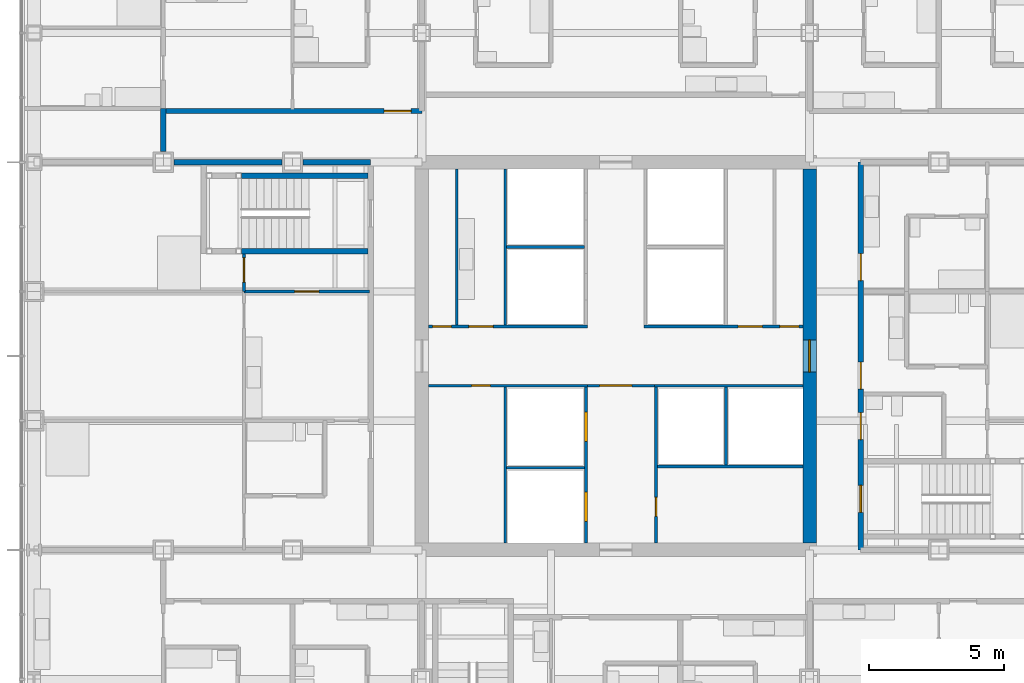
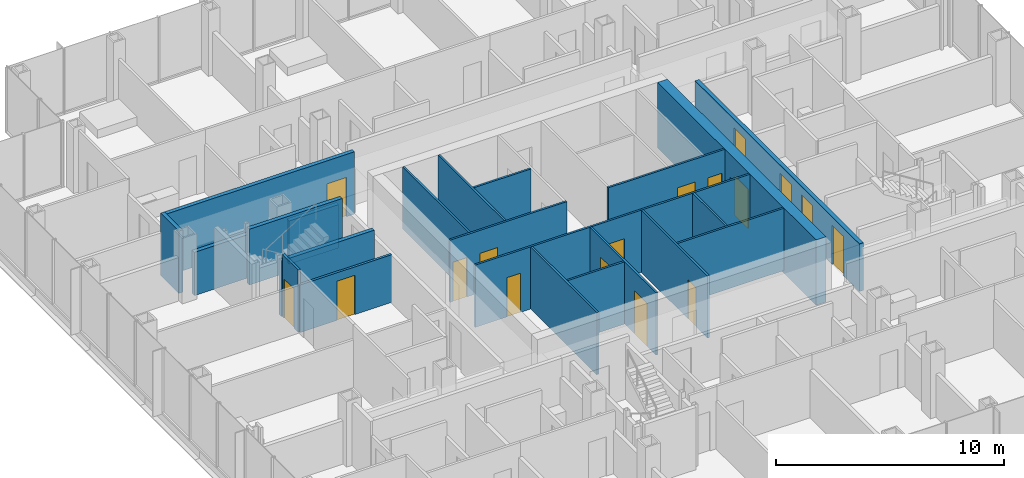
# One storey, part 15 of 21: 24 walls, 17 doors, 17 openings.
"""IFC4 building model written with IfcOpenShell, lengths in metres."""

from ifc_helpers import new_model, si_unit, direction, frame, frame_2d, origin, place, context, subcontext, project, spatial, rectangle, extrude, material, layer, layer_set, type_object, element, fill, save


model = new_model("IFC4")

# Units and contexts
model_context = context("Model", 3, precision=1e-05, world=origin(), true_north=direction((0.0, 1.0)))
body_context = subcontext(model_context, "Body", "Model", "MODEL_VIEW")
ifc_project = project(units=[si_unit("LENGTHUNIT", "METRE"), si_unit("AREAUNIT", "SQUARE_METRE"), si_unit("VOLUMEUNIT", "CUBIC_METRE"), si_unit("PLANEANGLEUNIT", "RADIAN"), si_unit("MASSUNIT", "GRAM", prefix="KILO")], contexts=[model_context])

# Site, building, storey
site_placement = place(None, origin())
site = spatial("IfcSite", under=ifc_project, at=site_placement, CompositionType="ELEMENT")
building_placement = place(site_placement, origin())
building = spatial("IfcBuilding", under=site, at=building_placement, Name="Kvirike Care Tower", CompositionType="ELEMENT")
storey_placement = place(building_placement, frame((0.0, 0.0, 37.5)))
storey = spatial("IfcBuildingStorey", under=building, at=storey_placement, Name="L09", CompositionType="ELEMENT", Elevation=37.5)

# Wall, opening, door
ifc_material_1 = material(Name="Concrete C60/75", Category="concrete")
ifc_layer_1 = layer(ifc_material_1, 0.5)
ifc_layer_set_1 = layer_set([ifc_layer_1], Name="CORE WALL 500 C60-75")
wall_type_1 = type_object("IfcWallType", Name="CORE WALL 500 C60-75", PredefinedType="SHEAR", material=ifc_layer_set_1)
wall_1_placement = place(storey_placement, frame((28.800048828125, 29.050048828125, -0.169921875), z_axis=(0.0, 0.0, 1.0), x_axis=(0.0, 1.0, 0.0)))
wall_1 = element("IfcWall", 1, at=wall_1_placement, inside=storey, type_object=wall_type_1, Name="Core wall E L09", PredefinedType="SHEAR", context=body_context, shape_type="SweptSolid", body=[
    extrude(rectangle(XDim=13.89990234375, YDim=0.5, at=frame_2d((6.949951171875, 0.0))), origin(), (0.0, 0.0, 1.0), 3.5),
])
opening_1_placement = place(wall_1_placement, frame((6.35009765625, 0.0, 0.169921875)))
opening_1 = element("IfcOpeningElement", 2, at=opening_1_placement, cuts=wall_1, Name="Opening 09-077", PredefinedType="OPENING", context=body_context, shape_type="SweptSolid", body=[
    extrude(rectangle(XDim=1.199951171875, YDim=2.10009765625, at=frame_2d((0.60009765625, 1.050048828125))), frame((0.0, 0.260498046875, 0.0), z_axis=(0.0, -1.0, 0.0), x_axis=(1.0, 0.0, 0.0)), (0.0, 0.0, 1.0), 0.52099609375),
])
ifc_material_2 = material(Name="Timber door set", Category="wood")
door_type_1 = type_object("IfcDoorType", Name="CORE DOOR 1200", OperationType="SINGLE_SWING_LEFT", PredefinedType="DOOR", material=ifc_material_2)
door_1_placement = place(opening_1_placement, origin())
door_1 = element("IfcDoor", 3, at=door_1_placement, inside=storey, type_object=door_type_1, Name="Core door E L09", OperationType="SINGLE_SWING_LEFT", OverallHeight=2.10009765625, OverallWidth=1.199951171875, PredefinedType="DOOR", context=body_context, shape_type="SweptSolid", body=[
    extrude(rectangle(XDim=1.199951171875, YDim=2.10009765625, at=frame_2d((0.60009765625, 1.050048828125))), frame((0.0, 0.02685546875, 0.0), z_axis=(0.0, -1.0, 0.0), x_axis=(1.0, 0.0, 0.0)), (0.0, 0.0, 1.0), 0.053955078125),
])
fill(opening_1, door_1)

ifc_material_3 = material(Name="Plasterboard corridor wall", Category="gypsum")
ifc_layer_2 = layer(ifc_material_3, 0.199951171875)
ifc_layer_set_2 = layer_set([ifc_layer_2], Name="CORRIDOR WALL 200")
wall_type_2 = type_object("IfcWallType", Name="CORRIDOR WALL 200", PredefinedType="PARTITIONING", material=ifc_layer_set_2)
wall_2_placement = place(storey_placement, frame((14.39990234375, 45.10009765625, 0.0), z_axis=(0.0, 0.0, 1.0), x_axis=(-1.0, 0.0, 0.0)))
wall_2 = element("IfcWall", 4, at=wall_2_placement, inside=storey, type_object=wall_type_2, Name="Corridor Wall 200 L09", PredefinedType="PARTITIONING", context=body_context, shape_type="SweptSolid", body=[
    extrude(rectangle(XDim=9.599853515625, YDim=0.199951171875, at=frame_2d((4.7998046875, 0.0))), origin(), (0.0, 0.0, 1.0), 3.330078125),
])
opening_2_placement = place(wall_2_placement, frame((0.39990234375, 0.0, 0.0)))
opening_2 = element("IfcOpeningElement", 5, at=opening_2_placement, cuts=wall_2, Name="Opening 09-023", PredefinedType="OPENING", context=body_context, shape_type="SweptSolid", body=[
    extrude(rectangle(XDim=1.0, YDim=2.10009765625, at=frame_2d((0.5, 1.050048828125))), frame((0.0, 0.110595703125, 0.0), z_axis=(0.0, -1.0, 0.0), x_axis=(1.0, 0.0, 0.0)), (0.0, 0.0, 1.0), 0.220947265625),
])
ifc_material_4 = material(Name="Timber door set", Category="wood")
door_type_2 = type_object("IfcDoorType", Name="FLAT ENTRANCE DOOR 1000", OperationType="SINGLE_SWING_LEFT", PredefinedType="DOOR", material=ifc_material_4)
door_2_placement = place(opening_2_placement, frame((1.0, 0.0, 0.0), z_axis=(0.0, 0.0, 1.0), x_axis=(-1.0, 0.0, 0.0)))
door_2 = element("IfcDoor", 6, at=door_2_placement, inside=storey, type_object=door_type_2, Name="Three-bedroom corner apartment entrance", OperationType="SINGLE_SWING_LEFT", OverallHeight=2.10009765625, OverallWidth=1.0, PredefinedType="DOOR", context=body_context, shape_type="SweptSolid", body=[
    extrude(rectangle(XDim=1.0, YDim=2.10009765625, at=frame_2d((0.5, 1.050048828125))), frame((0.0, 0.02685546875, 0.0), z_axis=(0.0, -1.0, 0.0), x_axis=(1.0, 0.0, 0.0)), (0.0, 0.0, 1.0), 0.053955078125),
])
fill(opening_2, door_2)

# Wall
wall_3_placement = place(storey_placement, frame((4.800048828125, 45.199951171875, 0.0), z_axis=(0.0, 0.0, 1.0), x_axis=(0.0, -1.0, 0.0)))
element("IfcWall", 7, at=wall_3_placement, inside=storey, type_object=wall_type_2, Name="Corridor Wall 200 L09", PredefinedType="PARTITIONING", context=body_context, shape_type="SweptSolid", body=[
    extrude(rectangle(XDim=1.60498046875, YDim=0.199951171875, at=frame_2d((0.802490234375, 0.0))), origin(), (0.0, 0.0, 1.0), 3.330078125),
])

# Wall, openings, doors
wall_4_placement = place(storey_placement, frame((30.699951171875, 28.800048828125, 0.0), z_axis=(0.0, 0.0, 1.0), x_axis=(0.0, 1.0, 0.0)))
wall_4 = element("IfcWall", 8, at=wall_4_placement, inside=storey, type_object=wall_type_2, Name="Corridor Wall 200 L09", PredefinedType="PARTITIONING", context=body_context, shape_type="SweptSolid", body=[
    extrude(rectangle(XDim=14.39990234375, YDim=0.199951171875, at=frame_2d((7.199951171875, 0.0))), origin(), (0.0, 0.0, 1.0), 2.550048828125),
])
opening_3_placement = place(wall_4_placement, frame((1.39990234375, 0.0, 0.0)))
opening_3 = element("IfcOpeningElement", 9, at=opening_3_placement, cuts=wall_4, Name="Opening 09-052", PredefinedType="OPENING", context=body_context, shape_type="SweptSolid", body=[
    extrude(rectangle(XDim=1.0, YDim=2.10009765625, at=frame_2d((0.5, 1.050048828125))), frame((0.0, 0.110595703125, 0.0), z_axis=(0.0, -1.0, 0.0), x_axis=(1.0, 0.0, 0.0)), (0.0, 0.0, 1.0), 0.220947265625),
])
opening_4_placement = place(wall_4_placement, frame((4.10009765625, 0.0, 0.0)))
opening_4 = element("IfcOpeningElement", 10, at=opening_4_placement, cuts=wall_4, Name="Opening 09-053", PredefinedType="OPENING", context=body_context, shape_type="SweptSolid", body=[
    extrude(rectangle(XDim=1.0, YDim=2.10009765625, at=frame_2d((0.5, 1.050048828125))), frame((0.0, 0.110595703125, 0.0), z_axis=(0.0, -1.0, 0.0), x_axis=(1.0, 0.0, 0.0)), (0.0, 0.0, 1.0), 0.220947265625),
])
opening_5_placement = place(wall_4_placement, frame((5.97509765625, 0.0, 0.0)))
opening_5 = element("IfcOpeningElement", 11, at=opening_5_placement, cuts=wall_4, Name="Opening 09-054", PredefinedType="OPENING", context=body_context, shape_type="SweptSolid", body=[
    extrude(rectangle(XDim=1.0, YDim=2.10009765625, at=frame_2d((0.5, 1.050048828125))), frame((0.0, 0.110595703125, 0.0), z_axis=(0.0, -1.0, 0.0), x_axis=(1.0, 0.0, 0.0)), (0.0, 0.0, 1.0), 0.220947265625),
])
opening_6_placement = place(wall_4_placement, frame((10.0, 0.0, 0.0)))
opening_6 = element("IfcOpeningElement", 12, at=opening_6_placement, cuts=wall_4, Name="Opening 09-055", PredefinedType="OPENING", context=body_context, shape_type="SweptSolid", body=[
    extrude(rectangle(XDim=1.0, YDim=2.10009765625, at=frame_2d((0.5, 1.050048828125))), frame((0.0, 0.110595703125, 0.0), z_axis=(0.0, -1.0, 0.0), x_axis=(1.0, 0.0, 0.0)), (0.0, 0.0, 1.0), 0.220947265625),
])
door_3_placement = place(opening_5_placement, frame((1.0, 0.0, 0.0), z_axis=(0.0, 0.0, 1.0), x_axis=(-1.0, 0.0, 0.0)))
door_3 = element("IfcDoor", 13, at=door_3_placement, inside=storey, type_object=door_type_2, Name="One-bedroom apartment entrance", OperationType="SINGLE_SWING_LEFT", OverallHeight=2.10009765625, OverallWidth=1.0, PredefinedType="DOOR", context=body_context, shape_type="SweptSolid", body=[
    extrude(rectangle(XDim=1.0, YDim=2.10009765625, at=frame_2d((0.5, 1.050048828125))), frame((0.0, 0.02685546875, 0.0), z_axis=(0.0, -1.0, 0.0), x_axis=(1.0, 0.0, 0.0)), (0.0, 0.0, 1.0), 0.053955078125),
])
fill(opening_5, door_3)
door_4_placement = place(opening_6_placement, frame((1.0, 0.0, 0.0), z_axis=(0.0, 0.0, 1.0), x_axis=(-1.0, 0.0, 0.0)))
door_4 = element("IfcDoor", 14, at=door_4_placement, inside=storey, type_object=door_type_2, Name="Studio apartment entrance", OperationType="SINGLE_SWING_LEFT", OverallHeight=2.10009765625, OverallWidth=1.0, PredefinedType="DOOR", context=body_context, shape_type="SweptSolid", body=[
    extrude(rectangle(XDim=1.0, YDim=2.10009765625, at=frame_2d((0.5, 1.050048828125))), frame((0.0, 0.02685546875, 0.0), z_axis=(0.0, -1.0, 0.0), x_axis=(1.0, 0.0, 0.0)), (0.0, 0.0, 1.0), 0.053955078125),
])
fill(opening_6, door_4)
ifc_material_5 = material(Name="Timber door set", Category="wood")
door_type_3 = type_object("IfcDoorType", Name="STAIR DOOR 1000", OperationType="SINGLE_SWING_LEFT", PredefinedType="DOOR", material=ifc_material_5)
door_5_placement = place(opening_3_placement, frame((1.0, 0.0, 0.0), z_axis=(0.0, 0.0, 1.0), x_axis=(-1.0, 0.0, 0.0)))
door_5 = element("IfcDoor", 15, at=door_5_placement, inside=storey, type_object=door_type_3, Name="Stair 2 door", OperationType="SINGLE_SWING_RIGHT", OverallHeight=2.10009765625, OverallWidth=1.0, PredefinedType="DOOR", context=body_context, shape_type="SweptSolid", body=[
    extrude(rectangle(XDim=1.0, YDim=2.10009765625, at=frame_2d((0.5, 1.050048828125))), frame((0.0, 0.031982421875, 0.0), z_axis=(0.0, -1.0, 0.0), x_axis=(1.0, 0.0, 0.0)), (0.0, 0.0, 1.0), 0.06396484375),
])
fill(opening_3, door_5)
ifc_material_6 = material(Name="Timber door set", Category="wood")
door_type_4 = type_object("IfcDoorType", Name="WC DOOR 1000", OperationType="SINGLE_SWING_LEFT", PredefinedType="DOOR", material=ifc_material_6)
door_6_placement = place(opening_4_placement, frame((1.0, 0.0, 0.0), z_axis=(0.0, 0.0, 1.0), x_axis=(-1.0, 0.0, 0.0)))
door_6 = element("IfcDoor", 16, at=door_6_placement, inside=storey, type_object=door_type_4, Name="Accessible WC door", OperationType="SINGLE_SWING_LEFT", OverallHeight=2.10009765625, OverallWidth=1.0, PredefinedType="DOOR", context=body_context, shape_type="SweptSolid", body=[
    extrude(rectangle(XDim=1.0, YDim=2.10009765625, at=frame_2d((0.5, 1.050048828125))), frame((0.0, 0.02685546875, 0.0), z_axis=(0.0, -1.0, 0.0), x_axis=(1.0, 0.0, 0.0)), (0.0, 0.0, 1.0), 0.053955078125),
])
fill(opening_4, door_6)

# Wall, opening, door
ifc_material_7 = material(Name="Plasterboard partition", Category="gypsum")
ifc_layer_3 = layer(ifc_material_7, 0.1201171875)
ifc_layer_set_3 = layer_set([ifc_layer_3], Name="PARTITION 120")
wall_type_3 = type_object("IfcWallType", Name="PARTITION 120", PredefinedType="PARTITIONING", material=ifc_layer_set_3)
wall_5_placement = place(storey_placement, frame((7.800048828125, 38.39990234375, 0.0), z_axis=(0.0, 0.0, 1.0), x_axis=(1.0, 0.0, 0.0)))
wall_5 = element("IfcWall", 17, at=wall_5_placement, inside=storey, type_object=wall_type_3, Name="Partition 120 L09", PredefinedType="PARTITIONING", context=body_context, shape_type="SweptSolid", body=[
    extrude(rectangle(XDim=4.64990234375, YDim=0.1201171875, at=frame_2d((2.324951171875, 0.0))), origin(), (0.0, 0.0, 1.0), 2.550048828125),
])
opening_7_placement = place(wall_5_placement, frame((1.875, 0.0, 0.0)))
opening_7 = element("IfcOpeningElement", 18, at=opening_7_placement, cuts=wall_5, Name="Opening 09-010", PredefinedType="OPENING", context=body_context, shape_type="SweptSolid", body=[
    extrude(rectangle(XDim=0.89990234375, YDim=2.10009765625, at=frame_2d((0.449951171875, 1.050048828125))), frame((0.0, 0.070556640625, 0.0), z_axis=(0.0, -1.0, 0.0), x_axis=(1.0, 0.0, 0.0)), (0.0, 0.0, 1.0), 0.14111328125),
])
ifc_material_8 = material(Name="Timber door set", Category="wood")
door_type_5 = type_object("IfcDoorType", Name="INTERNAL DOOR 900", OperationType="SINGLE_SWING_LEFT", PredefinedType="DOOR", material=ifc_material_8)
door_7_placement = place(opening_7_placement, origin())
door_7 = element("IfcDoor", 19, at=door_7_placement, inside=storey, type_object=door_type_5, Name="Hall door", OperationType="SINGLE_SWING_RIGHT", OverallHeight=2.10009765625, OverallWidth=0.89990234375, PredefinedType="DOOR", context=body_context, shape_type="SweptSolid", body=[
    extrude(rectangle(XDim=0.89990234375, YDim=2.10009765625, at=frame_2d((0.449951171875, 1.050048828125))), frame((0.0, 0.02197265625, 0.0), z_axis=(0.0, -1.0, 0.0), x_axis=(1.0, 0.0, 0.0)), (0.0, 0.0, 1.0), 0.0439453125),
])
fill(opening_7, door_7)

wall_6_placement = place(storey_placement, frame((7.800048828125, 39.800048828125, 0.0), z_axis=(0.0, 0.0, 1.0), x_axis=(0.0, -1.0, 0.0)))
wall_6 = element("IfcWall", 20, at=wall_6_placement, inside=storey, type_object=wall_type_3, Name="Partition 120 L09", PredefinedType="PARTITIONING", context=body_context, shape_type="SweptSolid", body=[
    extrude(rectangle(XDim=1.400146484375, YDim=0.1201171875, at=frame_2d((0.7001953125, 0.0))), origin(), (0.0, 0.0, 1.0), 3.330078125),
])
opening_8_placement = place(wall_6_placement, frame((0.14990234375, 0.0, 0.0)))
opening_8 = element("IfcOpeningElement", 21, at=opening_8_placement, cuts=wall_6, Name="Opening 09-012", PredefinedType="OPENING", context=body_context, shape_type="SweptSolid", body=[
    extrude(rectangle(XDim=0.89990234375, YDim=2.10009765625, at=frame_2d((0.449951171875, 1.050048828125))), frame((0.0, 0.070556640625, 0.0), z_axis=(0.0, -1.0, 0.0), x_axis=(1.0, 0.0, 0.0)), (0.0, 0.0, 1.0), 0.14111328125),
])
door_8_placement = place(opening_8_placement, origin())
door_8 = element("IfcDoor", 22, at=door_8_placement, inside=storey, type_object=door_type_5, Name="Apartment bedroom door", OperationType="SINGLE_SWING_RIGHT", OverallHeight=2.10009765625, OverallWidth=0.89990234375, PredefinedType="DOOR", context=body_context, shape_type="SweptSolid", body=[
    extrude(rectangle(XDim=0.89990234375, YDim=2.10009765625, at=frame_2d((0.449951171875, 1.050048828125))), frame((0.0, 0.02197265625, 0.0), z_axis=(0.0, -1.0, 0.0), x_axis=(1.0, 0.0, 0.0)), (0.0, 0.0, 1.0), 0.0439453125),
])
fill(opening_8, door_8)

# Walls
ifc_material_9 = material(Name="Plasterboard party wall", Category="gypsum")
ifc_layer_4 = layer(ifc_material_9, 0.199951171875)
ifc_layer_set_4 = layer_set([ifc_layer_4], Name="PARTY WALL 200")
wall_type_4 = type_object("IfcWallType", Name="PARTY WALL 200", PredefinedType="PARTITIONING", material=ifc_layer_set_4)
wall_7_placement = place(storey_placement, frame((12.5, 43.199951171875, 0.0), z_axis=(0.0, 0.0, 1.0), x_axis=(-1.0, 0.0, 0.0)))
element("IfcWall", 23, at=wall_7_placement, inside=storey, type_object=wall_type_4, Name="Party Wall 200 L09", PredefinedType="PARTITIONING", context=body_context, shape_type="SweptSolid", body=[
    extrude(rectangle(XDim=2.5048828125, YDim=0.199951171875, at=frame_2d((1.25244140625, 0.0))), origin(), (0.0, 0.0, 1.0), 2.320068359375),
])
wall_8_placement = place(storey_placement, frame((9.205078125, 43.199951171875, 0.0), z_axis=(0.0, 0.0, 1.0), x_axis=(-1.0, 0.0, 0.0)))
element("IfcWall", 24, at=wall_8_placement, inside=storey, type_object=wall_type_4, Name="Party Wall 200 L09", PredefinedType="PARTITIONING", context=body_context, shape_type="SweptSolid", body=[
    extrude(rectangle(XDim=4.010009765625, YDim=0.199951171875, at=frame_2d((2.0048828125, 0.0))), origin(), (0.0, 0.0, 1.0), 2.320068359375),
])
ifc_material_10 = material(Name="Gypsum shaft wall system", Category="gypsum")
ifc_layer_5 = layer(ifc_material_10, 0.10009765625)
ifc_layer_set_5 = layer_set([ifc_layer_5], Name="SHAFT WALL 100")
wall_type_5 = type_object("IfcWallType", Name="SHAFT WALL 100", PredefinedType="SOLIDWALL", material=ifc_layer_set_5)
wall_9_placement = place(storey_placement, frame((15.699951171875, 37.14990234375, 0.0), z_axis=(0.0, 0.0, 1.0), x_axis=(0.0, 1.0, 0.0)))
element("IfcWall", 25, at=wall_9_placement, inside=storey, type_object=wall_type_5, Name="Shaft Wall 100 L09", PredefinedType="SOLIDWALL", context=body_context, shape_type="SweptSolid", body=[
    extrude(rectangle(XDim=5.800048828125, YDim=0.10009765625, at=frame_2d((2.89990234375, 0.0))), origin(), (0.0, 0.0, 1.0), 3.330078125),
])

# Wall, openings, doors
wall_10_placement = place(storey_placement, frame((20.5, 29.050048828125, 0.0), z_axis=(0.0, 0.0, 1.0), x_axis=(0.0, 1.0, 0.0)))
wall_10 = element("IfcWall", 26, at=wall_10_placement, inside=storey, type_object=wall_type_5, Name="Shaft Wall 100 L09", PredefinedType="SOLIDWALL", context=body_context, shape_type="SweptSolid", body=[
    extrude(rectangle(XDim=5.800048828125, YDim=0.10009765625, at=frame_2d((2.89990234375, 0.0))), origin(), (0.0, 0.0, 1.0), 3.330078125),
])
opening_9_placement = place(wall_10_placement, frame((0.800048828125, 0.0, 0.0)))
opening_9 = element("IfcOpeningElement", 27, at=opening_9_placement, cuts=wall_10, Name="Opening 09-064", PredefinedType="OPENING", context=body_context, shape_type="SweptSolid", body=[
    extrude(rectangle(XDim=1.10009765625, YDim=2.300048828125, at=frame_2d((0.550048828125, 1.14990234375))), frame((0.0, 0.060546875, 0.0), z_axis=(0.0, -1.0, 0.0), x_axis=(1.0, 0.0, 0.0)), (0.0, 0.0, 1.0), 0.12109375),
])
opening_10_placement = place(wall_10_placement, frame((3.77490234375, 0.0, 0.0)))
opening_10 = element("IfcOpeningElement", 28, at=opening_10_placement, cuts=wall_10, Name="Opening 09-065", PredefinedType="OPENING", context=body_context, shape_type="SweptSolid", body=[
    extrude(rectangle(XDim=1.10009765625, YDim=2.300048828125, at=frame_2d((0.550048828125, 1.14990234375))), frame((0.0, 0.060546875, 0.0), z_axis=(0.0, -1.0, 0.0), x_axis=(1.0, 0.0, 0.0)), (0.0, 0.0, 1.0), 0.12109375),
])
ifc_material_11 = material(Name="Aluminium door frame", Category="aluminium")
door_type_6 = type_object("IfcDoorType", Name="FIRE-FIGHTING LIFT LANDING DOOR 1100", OperationType="SLIDING_TO_LEFT", PredefinedType="DOOR", material=ifc_material_11)
door_9_placement = place(opening_9_placement, origin())
door_9 = element("IfcDoor", 29, at=door_9_placement, inside=storey, type_object=door_type_6, Name="Lift FF1 landing door", OperationType="SLIDING_TO_LEFT", OverallHeight=2.300048828125, OverallWidth=1.10009765625, PredefinedType="DOOR", context=body_context, shape_type="SweptSolid", body=[
    extrude(rectangle(XDim=1.10009765625, YDim=2.300048828125, at=frame_2d((0.550048828125, 1.14990234375))), frame((0.0, 0.0498046875, 0.0), z_axis=(0.0, -1.0, 0.0), x_axis=(1.0, 0.0, 0.0)), (0.0, 0.0, 1.0), 0.099609375),
])
fill(opening_9, door_9)
door_10_placement = place(opening_10_placement, origin())
door_10 = element("IfcDoor", 30, at=door_10_placement, inside=storey, type_object=door_type_6, Name="Lift FF2 landing door", OperationType="SLIDING_TO_LEFT", OverallHeight=2.300048828125, OverallWidth=1.10009765625, PredefinedType="DOOR", context=body_context, shape_type="SweptSolid", body=[
    extrude(rectangle(XDim=1.10009765625, YDim=2.300048828125, at=frame_2d((0.550048828125, 1.14990234375))), frame((0.0, 0.0498046875, 0.0), z_axis=(0.0, -1.0, 0.0), x_axis=(1.0, 0.0, 0.0)), (0.0, 0.0, 1.0), 0.099609375),
])
fill(opening_10, door_10)

# Wall, opening, door
wall_11_placement = place(storey_placement, frame((23.10009765625, 29.050048828125, 0.0), z_axis=(0.0, 0.0, 1.0), x_axis=(0.0, 1.0, 0.0)))
wall_11 = element("IfcWall", 31, at=wall_11_placement, inside=storey, type_object=wall_type_5, Name="Shaft Wall 100 L09", PredefinedType="SOLIDWALL", context=body_context, shape_type="SweptSolid", body=[
    extrude(rectangle(XDim=5.800048828125, YDim=0.10009765625, at=frame_2d((2.89990234375, 0.0))), origin(), (0.0, 0.0, 1.0), 3.330078125),
])
opening_11_placement = place(wall_11_placement, frame((1.0, 0.0, 0.0)))
opening_11 = element("IfcOpeningElement", 32, at=opening_11_placement, cuts=wall_11, Name="Opening 09-068", PredefinedType="OPENING", context=body_context, shape_type="SweptSolid", body=[
    extrude(rectangle(XDim=0.699951171875, YDim=2.10009765625, at=frame_2d((0.35009765625, 1.050048828125))), frame((0.0, 0.060546875, 0.0), z_axis=(0.0, -1.0, 0.0), x_axis=(1.0, 0.0, 0.0)), (0.0, 0.0, 1.0), 0.12109375),
])
ifc_material_12 = material(Name="Timber door set", Category="wood")
door_type_7 = type_object("IfcDoorType", Name="RISER DOOR 700", OperationType="SINGLE_SWING_LEFT", PredefinedType="DOOR", material=ifc_material_12)
door_11_placement = place(opening_11_placement, origin())
door_11 = element("IfcDoor", 33, at=door_11_placement, inside=storey, type_object=door_type_7, Name="Riser door", OperationType="SINGLE_SWING_RIGHT", OverallHeight=2.10009765625, OverallWidth=0.699951171875, PredefinedType="DOOR", context=body_context, shape_type="SweptSolid", body=[
    extrude(rectangle(XDim=0.699951171875, YDim=2.10009765625, at=frame_2d((0.35009765625, 1.050048828125))), frame((0.0, 0.02685546875, 0.0), z_axis=(0.0, -1.0, 0.0), x_axis=(1.0, 0.0, 0.0)), (0.0, 0.0, 1.0), 0.053955078125),
])
fill(opening_11, door_11)

wall_12_placement = place(storey_placement, frame((14.64990234375, 34.89990234375, 0.0), z_axis=(0.0, 0.0, 1.0), x_axis=(1.0, 0.0, 0.0)))
wall_12 = element("IfcWall", 34, at=wall_12_placement, inside=storey, type_object=wall_type_5, Name="Shaft Wall 100 L09", PredefinedType="SOLIDWALL", context=body_context, shape_type="SweptSolid", body=[
    extrude(rectangle(XDim=5.900146484375, YDim=0.10009765625, at=frame_2d((2.9501953125, 0.0))), origin(), (0.0, 0.0, 1.0), 3.330078125),
])
opening_12_placement = place(wall_12_placement, frame((1.60009765625, 0.0, 0.0)))
opening_12 = element("IfcOpeningElement", 35, at=opening_12_placement, cuts=wall_12, Name="Opening 09-069", PredefinedType="OPENING", context=body_context, shape_type="SweptSolid", body=[
    extrude(rectangle(XDim=0.699951171875, YDim=2.10009765625, at=frame_2d((0.35009765625, 1.050048828125))), frame((0.0, 0.060546875, 0.0), z_axis=(0.0, -1.0, 0.0), x_axis=(1.0, 0.0, 0.0)), (0.0, 0.0, 1.0), 0.12109375),
])
door_12_placement = place(opening_12_placement, frame((0.699951171875, 0.0, 0.0), z_axis=(0.0, 0.0, 1.0), x_axis=(-1.0, 0.0, 0.0)))
door_12 = element("IfcDoor", 36, at=door_12_placement, inside=storey, type_object=door_type_7, Name="Riser door", OperationType="SINGLE_SWING_RIGHT", OverallHeight=2.10009765625, OverallWidth=0.699951171875, PredefinedType="DOOR", context=body_context, shape_type="SweptSolid", body=[
    extrude(rectangle(XDim=0.699951171875, YDim=2.10009765625, at=frame_2d((0.35009765625, 1.050048828125))), frame((0.0, 0.02685546875, 0.0), z_axis=(0.0, -1.0, 0.0), x_axis=(1.0, 0.0, 0.0)), (0.0, 0.0, 1.0), 0.053955078125),
])
fill(opening_12, door_12)

# Wall
wall_13_placement = place(storey_placement, frame((23.050048828125, 34.89990234375, 0.0), z_axis=(0.0, 0.0, 1.0), x_axis=(1.0, 0.0, 0.0)))
element("IfcWall", 37, at=wall_13_placement, inside=storey, type_object=wall_type_5, Name="Shaft Wall 100 L09", PredefinedType="SOLIDWALL", context=body_context, shape_type="SweptSolid", body=[
    extrude(rectangle(XDim=5.5, YDim=0.10009765625, at=frame_2d((2.75, 0.0))), origin(), (0.0, 0.0, 1.0), 3.330078125),
])

# Wall, openings, doors
wall_14_placement = place(storey_placement, frame((14.64990234375, 37.10009765625, 0.0), z_axis=(0.0, 0.0, 1.0), x_axis=(1.0, 0.0, 0.0)))
wall_14 = element("IfcWall", 38, at=wall_14_placement, inside=storey, type_object=wall_type_5, Name="Shaft Wall 100 L09", PredefinedType="SOLIDWALL", context=body_context, shape_type="SweptSolid", body=[
    extrude(rectangle(XDim=5.900146484375, YDim=0.10009765625, at=frame_2d((2.9501953125, 0.0))), origin(), (0.0, 0.0, 1.0), 3.330078125),
])
opening_13_placement = place(wall_14_placement, frame((0.14990234375, 0.0, 0.0)))
opening_13 = element("IfcOpeningElement", 39, at=opening_13_placement, cuts=wall_14, Name="Opening 09-070", PredefinedType="OPENING", context=body_context, shape_type="SweptSolid", body=[
    extrude(rectangle(XDim=0.699951171875, YDim=2.10009765625, at=frame_2d((0.35009765625, 1.050048828125))), frame((0.0, 0.060546875, 0.0), z_axis=(0.0, -1.0, 0.0), x_axis=(1.0, 0.0, 0.0)), (0.0, 0.0, 1.0), 0.12109375),
])
opening_14_placement = place(wall_14_placement, frame((1.5, 0.0, 0.0)))
opening_14 = element("IfcOpeningElement", 40, at=opening_14_placement, cuts=wall_14, Name="Opening 09-071", PredefinedType="OPENING", context=body_context, shape_type="SweptSolid", body=[
    extrude(rectangle(XDim=0.89990234375, YDim=2.10009765625, at=frame_2d((0.449951171875, 1.050048828125))), frame((0.0, 0.060546875, 0.0), z_axis=(0.0, -1.0, 0.0), x_axis=(1.0, 0.0, 0.0)), (0.0, 0.0, 1.0), 0.12109375),
])
door_13_placement = place(opening_13_placement, origin())
door_13 = element("IfcDoor", 41, at=door_13_placement, inside=storey, type_object=door_type_7, Name="Riser door", OperationType="SINGLE_SWING_LEFT", OverallHeight=2.10009765625, OverallWidth=0.699951171875, PredefinedType="DOOR", context=body_context, shape_type="SweptSolid", body=[
    extrude(rectangle(XDim=0.699951171875, YDim=2.10009765625, at=frame_2d((0.35009765625, 1.050048828125))), frame((0.0, 0.02685546875, 0.0), z_axis=(0.0, -1.0, 0.0), x_axis=(1.0, 0.0, 0.0)), (0.0, 0.0, 1.0), 0.053955078125),
])
fill(opening_13, door_13)
ifc_material_13 = material(Name="Timber door set", Category="wood")
door_type_8 = type_object("IfcDoorType", Name="STORE DOOR 900", OperationType="SINGLE_SWING_LEFT", PredefinedType="DOOR", material=ifc_material_13)
door_14_placement = place(opening_14_placement, origin())
door_14 = element("IfcDoor", 42, at=door_14_placement, inside=storey, type_object=door_type_8, Name="Resident pantry door", OperationType="SINGLE_SWING_LEFT", OverallHeight=2.10009765625, OverallWidth=0.89990234375, PredefinedType="DOOR", context=body_context, shape_type="SweptSolid", body=[
    extrude(rectangle(XDim=0.89990234375, YDim=2.10009765625, at=frame_2d((0.449951171875, 1.050048828125))), frame((0.0, 0.02685546875, 0.0), z_axis=(0.0, -1.0, 0.0), x_axis=(1.0, 0.0, 0.0)), (0.0, 0.0, 1.0), 0.053955078125),
])
fill(opening_14, door_14)

wall_15_placement = place(storey_placement, frame((22.64990234375, 37.10009765625, 0.0), z_axis=(0.0, 0.0, 1.0), x_axis=(1.0, 0.0, 0.0)))
wall_15 = element("IfcWall", 43, at=wall_15_placement, inside=storey, type_object=wall_type_5, Name="Shaft Wall 100 L09", PredefinedType="SOLIDWALL", context=body_context, shape_type="SweptSolid", body=[
    extrude(rectangle(XDim=5.900146484375, YDim=0.10009765625, at=frame_2d((2.9501953125, 0.0))), origin(), (0.0, 0.0, 1.0), 3.330078125),
])
opening_15_placement = place(wall_15_placement, frame((3.5, 0.0, 0.0)))
opening_15 = element("IfcOpeningElement", 44, at=opening_15_placement, cuts=wall_15, Name="Opening 09-072", PredefinedType="OPENING", context=body_context, shape_type="SweptSolid", body=[
    extrude(rectangle(XDim=0.89990234375, YDim=2.10009765625, at=frame_2d((0.449951171875, 1.050048828125))), frame((0.0, 0.060546875, 0.0), z_axis=(0.0, -1.0, 0.0), x_axis=(1.0, 0.0, 0.0)), (0.0, 0.0, 1.0), 0.12109375),
])
opening_16_placement = place(wall_15_placement, frame((5.050048828125, 0.0, 0.0)))
opening_16 = element("IfcOpeningElement", 45, at=opening_16_placement, cuts=wall_15, Name="Opening 09-073", PredefinedType="OPENING", context=body_context, shape_type="SweptSolid", body=[
    extrude(rectangle(XDim=0.699951171875, YDim=2.10009765625, at=frame_2d((0.35009765625, 1.050048828125))), frame((0.0, 0.060546875, 0.0), z_axis=(0.0, -1.0, 0.0), x_axis=(1.0, 0.0, 0.0)), (0.0, 0.0, 1.0), 0.12109375),
])
door_15_placement = place(opening_16_placement, origin())
door_15 = element("IfcDoor", 46, at=door_15_placement, inside=storey, type_object=door_type_7, Name="Riser door", OperationType="SINGLE_SWING_RIGHT", OverallHeight=2.10009765625, OverallWidth=0.699951171875, PredefinedType="DOOR", context=body_context, shape_type="SweptSolid", body=[
    extrude(rectangle(XDim=0.699951171875, YDim=2.10009765625, at=frame_2d((0.35009765625, 1.050048828125))), frame((0.0, 0.02685546875, 0.0), z_axis=(0.0, -1.0, 0.0), x_axis=(1.0, 0.0, 0.0)), (0.0, 0.0, 1.0), 0.053955078125),
])
fill(opening_16, door_15)
door_16_placement = place(opening_15_placement, origin())
door_16 = element("IfcDoor", 47, at=door_16_placement, inside=storey, type_object=door_type_8, Name="Cleaners store door", OperationType="SINGLE_SWING_LEFT", OverallHeight=2.10009765625, OverallWidth=0.89990234375, PredefinedType="DOOR", context=body_context, shape_type="SweptSolid", body=[
    extrude(rectangle(XDim=0.89990234375, YDim=2.10009765625, at=frame_2d((0.449951171875, 1.050048828125))), frame((0.0, 0.02685546875, 0.0), z_axis=(0.0, -1.0, 0.0), x_axis=(1.0, 0.0, 0.0)), (0.0, 0.0, 1.0), 0.053955078125),
])
fill(opening_15, door_16)

# Wall, opening, door
wall_16_placement = place(storey_placement, frame((20.550048828125, 34.89990234375, 0.0), z_axis=(0.0, 0.0, 1.0), x_axis=(1.0, 0.0, 0.0)))
wall_16 = element("IfcWall", 48, at=wall_16_placement, inside=storey, type_object=wall_type_5, Name="Shaft Wall 100 L09", PredefinedType="SOLIDWALL", context=body_context, shape_type="SweptSolid", body=[
    extrude(rectangle(XDim=2.5, YDim=0.10009765625, at=frame_2d((1.25, 0.0))), origin(), (0.0, 0.0, 1.0), 3.330078125),
])
opening_17_placement = place(wall_16_placement, frame((0.449951171875, 0.0, 0.0)))
opening_17 = element("IfcOpeningElement", 49, at=opening_17_placement, cuts=wall_16, Name="Opening 09-074", PredefinedType="OPENING", context=body_context, shape_type="SweptSolid", body=[
    extrude(rectangle(XDim=1.199951171875, YDim=2.10009765625, at=frame_2d((0.60009765625, 1.050048828125))), frame((0.0, 0.060546875, 0.0), z_axis=(0.0, -1.0, 0.0), x_axis=(1.0, 0.0, 0.0)), (0.0, 0.0, 1.0), 0.12109375),
])
door_17_placement = place(opening_17_placement, frame((1.199951171875, 0.0, 0.0), z_axis=(0.0, 0.0, 1.0), x_axis=(-1.0, 0.0, 0.0)))
door_17 = element("IfcDoor", 50, at=door_17_placement, inside=storey, type_object=door_type_1, Name="Fire-fighting lobby door", OperationType="SINGLE_SWING_LEFT", OverallHeight=2.10009765625, OverallWidth=1.199951171875, PredefinedType="DOOR", context=body_context, shape_type="SweptSolid", body=[
    extrude(rectangle(XDim=1.199951171875, YDim=2.10009765625, at=frame_2d((0.60009765625, 1.050048828125))), frame((0.0, 0.02685546875, 0.0), z_axis=(0.0, -1.0, 0.0), x_axis=(1.0, 0.0, 0.0)), (0.0, 0.0, 1.0), 0.053955078125),
])
fill(opening_17, door_17)

# Walls
wall_17_placement = place(storey_placement, frame((17.5, 29.050048828125, 0.0), z_axis=(0.0, 0.0, 1.0), x_axis=(0.0, 1.0, 0.0)))
element("IfcWall", 51, at=wall_17_placement, inside=storey, type_object=wall_type_5, Name="Shaft Wall 100 L09", PredefinedType="SOLIDWALL", context=body_context, shape_type="SweptSolid", body=[
    extrude(rectangle(XDim=5.800048828125, YDim=0.10009765625, at=frame_2d((2.89990234375, 0.0))), origin(), (0.0, 0.0, 1.0), 3.330078125),
])
wall_18_placement = place(storey_placement, frame((17.550048828125, 31.85009765625, 0.0), z_axis=(0.0, 0.0, 1.0), x_axis=(1.0, 0.0, 0.0)))
element("IfcWall", 52, at=wall_18_placement, inside=storey, type_object=wall_type_5, Name="Shaft Wall 100 L09", PredefinedType="SOLIDWALL", context=body_context, shape_type="SweptSolid", body=[
    extrude(rectangle(XDim=2.89990234375, YDim=0.10009765625, at=frame_2d((1.449951171875, 0.0))), origin(), (0.0, 0.0, 1.0), 3.330078125),
])
wall_19_placement = place(storey_placement, frame((17.5, 37.14990234375, 0.0), z_axis=(0.0, 0.0, 1.0), x_axis=(0.0, 1.0, 0.0)))
element("IfcWall", 53, at=wall_19_placement, inside=storey, type_object=wall_type_5, Name="Shaft Wall 100 L09", PredefinedType="SOLIDWALL", context=body_context, shape_type="SweptSolid", body=[
    extrude(rectangle(XDim=5.800048828125, YDim=0.10009765625, at=frame_2d((2.89990234375, 0.0))), origin(), (0.0, 0.0, 1.0), 3.330078125),
])
wall_20_placement = place(storey_placement, frame((17.550048828125, 40.050048828125, 0.0), z_axis=(0.0, 0.0, 1.0), x_axis=(1.0, 0.0, 0.0)))
element("IfcWall", 54, at=wall_20_placement, inside=storey, type_object=wall_type_5, Name="Shaft Wall 100 L09", PredefinedType="SOLIDWALL", context=body_context, shape_type="SweptSolid", body=[
    extrude(rectangle(XDim=2.89990234375, YDim=0.10009765625, at=frame_2d((1.449951171875, 0.0))), origin(), (0.0, 0.0, 1.0), 3.330078125),
])
wall_21_placement = place(storey_placement, frame((25.699951171875, 31.949951171875, 0.0), z_axis=(0.0, 0.0, 1.0), x_axis=(0.0, 1.0, 0.0)))
element("IfcWall", 55, at=wall_21_placement, inside=storey, type_object=wall_type_5, Name="Shaft Wall 100 L09", PredefinedType="SOLIDWALL", context=body_context, shape_type="SweptSolid", body=[
    extrude(rectangle(XDim=2.900146484375, YDim=0.10009765625, at=frame_2d((1.4501953125, 0.0))), origin(), (0.0, 0.0, 1.0), 3.330078125),
])
wall_22_placement = place(storey_placement, frame((23.14990234375, 31.89990234375, 0.0), z_axis=(0.0, 0.0, 1.0), x_axis=(1.0, 0.0, 0.0)))
element("IfcWall", 56, at=wall_22_placement, inside=storey, type_object=wall_type_5, Name="Shaft Wall 100 L09", PredefinedType="SOLIDWALL", context=body_context, shape_type="SweptSolid", body=[
    extrude(rectangle(XDim=5.400146484375, YDim=0.10009765625, at=frame_2d((2.7001953125, 0.0))), origin(), (0.0, 0.0, 1.0), 3.330078125),
])
ifc_material_14 = material(Name="Concrete C40/50", Category="concrete")
ifc_layer_6 = layer(ifc_material_14, 0.199951171875)
ifc_layer_set_6 = layer_set([ifc_layer_6], Name="STAIR WALL 200")
wall_type_6 = type_object("IfcWallType", Name="STAIR WALL 200", PredefinedType="SOLIDWALL", material=ifc_layer_set_6)
for number, where, z_axis, x_axis, name in (
    (57, (7.699951171875, 42.699951171875, 0.0), (0.0, 0.0, 1.0), (1.0, 0.0, 0.0), "Stair Wall 200 L09"),
    (58, (7.699951171875, 39.89990234375, 0.0), (0.0, 0.0, 1.0), (1.0, 0.0, 0.0), "Stair Wall 200 L09"),
):
    element("IfcWall", number, at=place(storey_placement, frame(where, z_axis=z_axis, x_axis=x_axis)), inside=storey, type_object=wall_type_6, Name=name, PredefinedType="SOLIDWALL", context=body_context, shape_type="SweptSolid", body=[
        extrude(rectangle(XDim=4.699951171875, YDim=0.199951171875, at=frame_2d((2.35009765625, 0.0))), origin(), (0.0, 0.0, 1.0), 2.989990234375),
    ])

save(model, "model.ifc")
